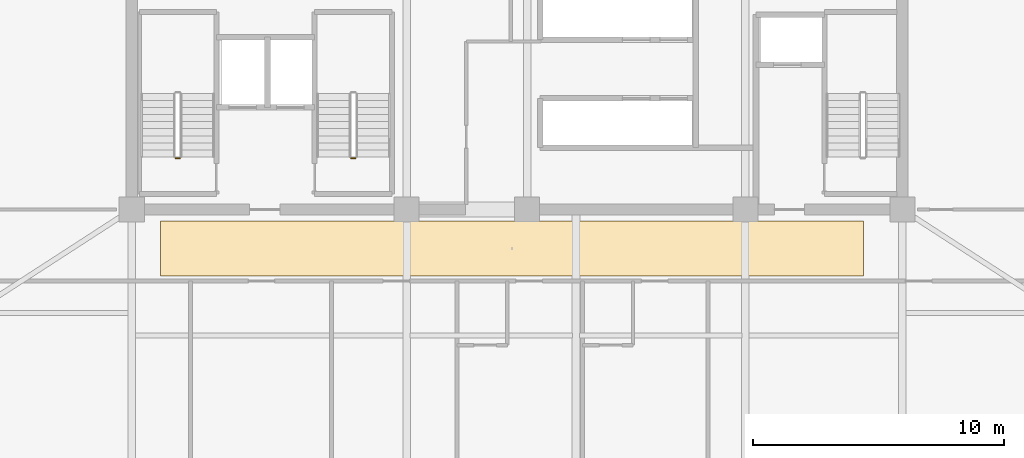
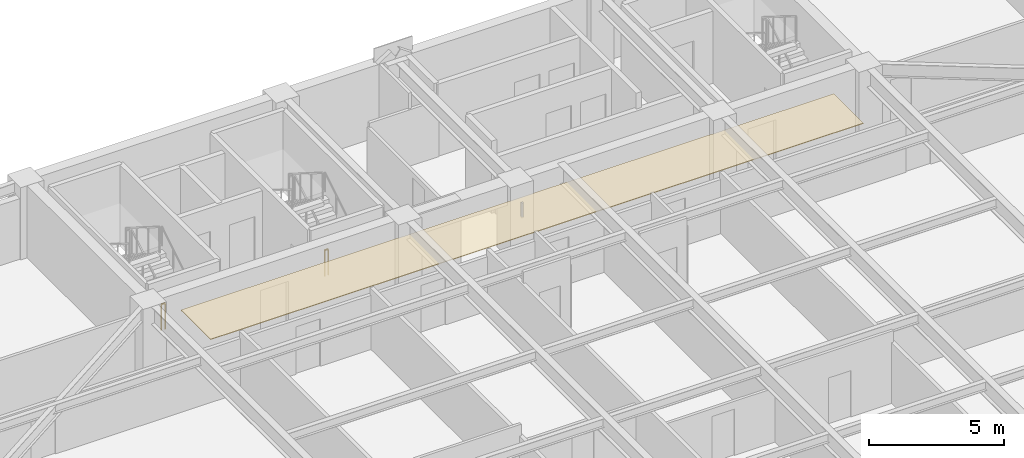
# One storey, part 13 of 16: 2 railings, 1 covering.
"""IFC4 building model written with IfcOpenShell, lengths in metres."""

from ifc_helpers import new_model, si_unit, direction, frame, origin, origin_2d, place, context, subcontext, project, spatial, polyline, rectangle, outline, extrude, material, layer, layer_set, type_object, element, save


model = new_model("IFC4")

# Units and contexts
model_context = context("Model", 3, precision=1e-05, world=origin(), true_north=direction((0.0, 1.0)))
body_context = subcontext(model_context, "Body", "Model", "MODEL_VIEW")
ifc_project = project(units=[si_unit("LENGTHUNIT", "METRE"), si_unit("AREAUNIT", "SQUARE_METRE"), si_unit("VOLUMEUNIT", "CUBIC_METRE"), si_unit("PLANEANGLEUNIT", "RADIAN"), si_unit("MASSUNIT", "GRAM", prefix="KILO")], contexts=[model_context])

# Site, building, storey
site_placement = place(None, origin())
site = spatial("IfcSite", under=ifc_project, at=site_placement, CompositionType="ELEMENT")
building_placement = place(site_placement, origin())
building = spatial("IfcBuilding", under=site, at=building_placement, Name="Giltprow Tower", CompositionType="ELEMENT")
storey_placement = place(building_placement, frame((0.0, 0.0, 209.699951171875)))
storey = spatial("IfcBuildingStorey", under=building, at=storey_placement, Name="L53", CompositionType="ELEMENT", Elevation=209.699951171875)

# Covering
ifc_material_1 = material(Name="Painted gypsum board", Category="gypsum")
ifc_layer = layer(ifc_material_1, 0.030029296875, Name="Painted gypsum board")
ifc_layer_set = layer_set([ifc_layer], Name="Painted gypsum board")
covering_type = type_object("IfcCoveringType", Name="COV-CLG-GYPSUM", PredefinedType="CEILING", material=ifc_layer_set)
covering_placement = place(storey_placement, frame((0.0, 0.0, 2.6201171875)))
element("IfcCovering", 1, at=covering_placement, inside=storey, type_object=covering_type, Name="L53 Hotel Corridor Gypsum Ceiling", PredefinedType="CEILING", context=body_context, shape_type="SweptSolid", body=[
    extrude(outline(polyline([(21.0, 34.800048828125), (49.0, 34.800048828125), (49.0, 37.0), (21.0, 37.0), (21.0, 34.800048828125)])), origin(), (0.0, 0.0, 1.0), 0.030029296875),
])

# Railings
ifc_material_2 = material(Name="Anodized bronze", Category="metal")
railing_type = type_object("IfcRailingType", Name="RAIL-STAIR-GUARD-1200", PredefinedType="GUARDRAIL", material=ifc_material_2)
for number, where, name in (
    (2, (21.760009765625, 39.5, 0.0), "L53 ST-1 stair guard 4"),
    (3, (28.760009765625, 39.5, 0.0), "L53 ST-2 stair guard 4"),
):
    element("IfcRailing", number, at=place(storey_placement, frame(where)), inside=storey, type_object=railing_type, Name=name, PredefinedType="GUARDRAIL", context=body_context, shape_type="SweptSolid", body=[
        extrude(rectangle(XDim=0.048095703125, YDim=0.048095703125, at=origin_2d()), frame((0.0, 0.0, 1.17578125), z_axis=(-1.0, 0.0, 0.0), x_axis=(0.0, -1.0, 0.0)), (0.0, 0.0, 1.0), 0.159912109375),
        extrude(rectangle(XDim=0.0419921875, YDim=0.0419921875, at=origin_2d()), origin(), (0.0, 0.0, 1.0), 1.15185546875),
        extrude(rectangle(XDim=0.0419921875, YDim=0.0419921875, at=origin_2d()), frame((-0.159912109375, 0.0, 0.0)), (0.0, 0.0, 1.0), 1.15185546875),
    ])

save(model, "model.ifc")
